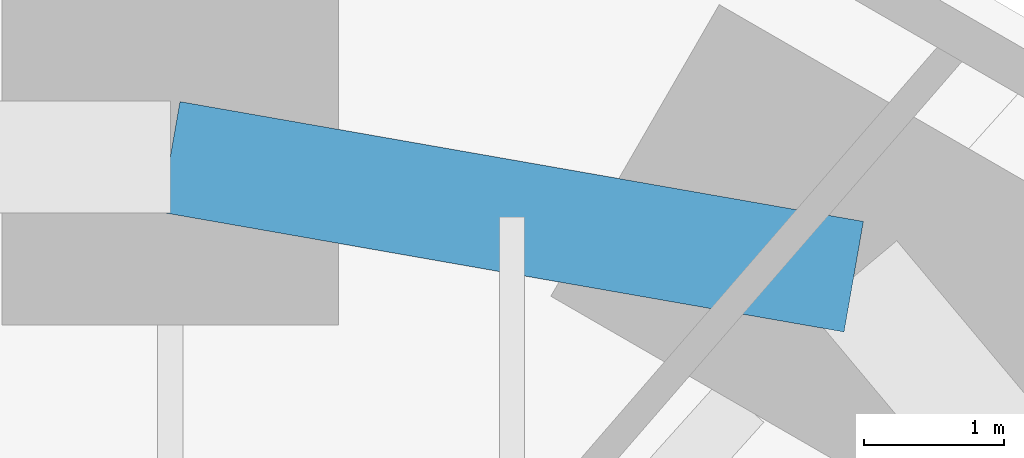
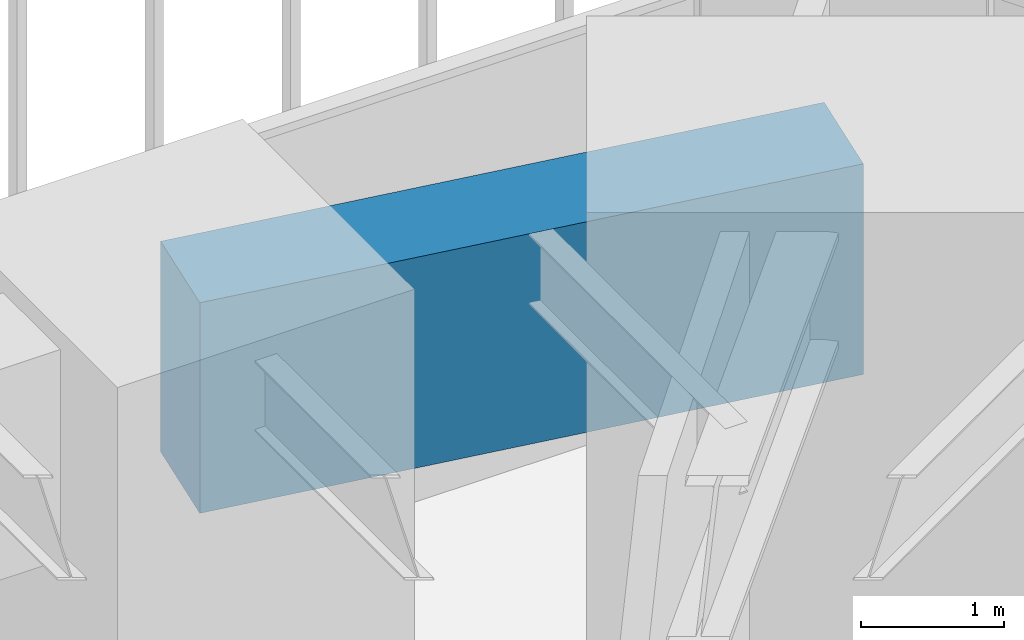
# One storey, part 232 of 256: 1 beam.
"""IFC4 building model written with IfcOpenShell, lengths in metres."""

from ifc_helpers import new_model, si_unit, direction, frame, origin, origin_2d, place, context, subcontext, project, spatial, rectangle, extrude, material, material_profile, profile_set, type_object, element, save


model = new_model("IFC4")

# Units and contexts
model_context = context("Model", 3, precision=1e-05, world=origin(), true_north=direction((0.0, 1.0)))
body_context = subcontext(model_context, "Body", "Model", "MODEL_VIEW")
ifc_project = project(units=[si_unit("LENGTHUNIT", "METRE"), si_unit("AREAUNIT", "SQUARE_METRE"), si_unit("VOLUMEUNIT", "CUBIC_METRE"), si_unit("PLANEANGLEUNIT", "RADIAN"), si_unit("MASSUNIT", "GRAM", prefix="KILO")], contexts=[model_context])

# Site, building, storey
site_placement = place(None, origin())
site = spatial("IfcSite", under=ifc_project, at=site_placement, CompositionType="ELEMENT")
building_placement = place(site_placement, origin())
building = spatial("IfcBuilding", under=site, at=building_placement, Name="Sandreach Pilgrim Tower", CompositionType="ELEMENT")
storey_placement = place(building_placement, frame((0.0, 0.0, 23.0)))
storey = spatial("IfcBuildingStorey", under=building, at=storey_placement, Name="L04", CompositionType="ELEMENT", Elevation=23.0)

# Beam
ifc_material = material(Name="Concrete 10000 psi", Category="concrete")
ifc_material_profile = material_profile(ifc_material, rectangle(XDim=0.800048828125, YDim=1.800048828125, at=origin_2d()), Name="RC800X1800")
ifc_profile_set = profile_set([ifc_material_profile], Name="Concrete 10000 psi")
beam_type = type_object("IfcBeamType", Name="Spandrel beam RC800X1800", PredefinedType="SPANDREL", material=ifc_profile_set)
beam_placement = place(storey_placement, frame((14.734619140625, 22.688720703125, 2.739990234375), z_axis=(0.984981186582, -0.172661698355, 0.0), x_axis=(0.172661698355, 0.984981186582, 0.0)))
element("IfcBeam", 1, at=beam_placement, inside=storey, type_object=beam_type, Name="BM L04 SP08", PredefinedType="SPANDREL", context=body_context, shape_type="SweptSolid", body=[
    extrude(rectangle(XDim=0.800048828125, YDim=1.800048828125, at=origin_2d()), origin(), (0.0, 0.0, 1.0), 4.946044921875),
])

save(model, "model.ifc")
